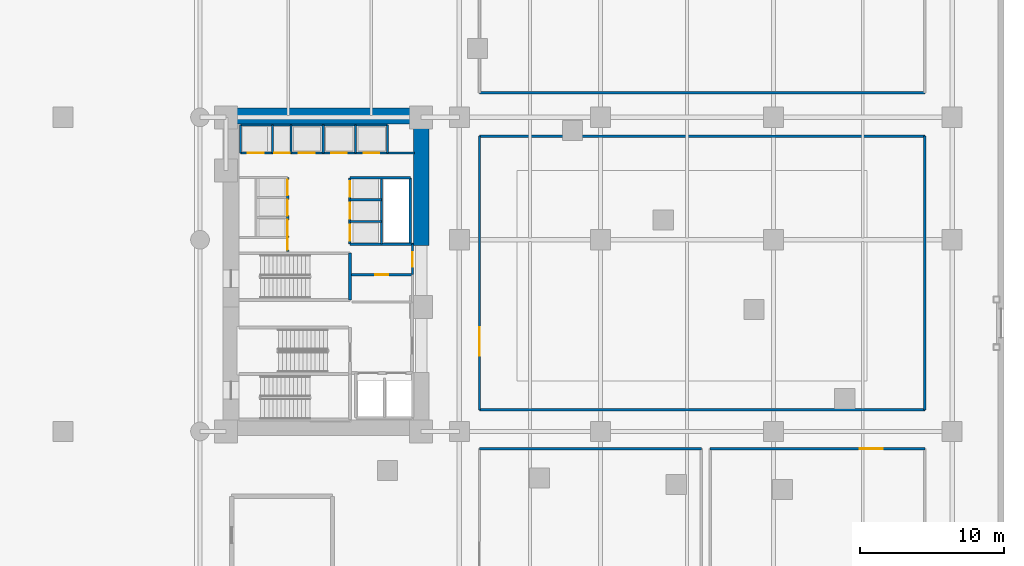
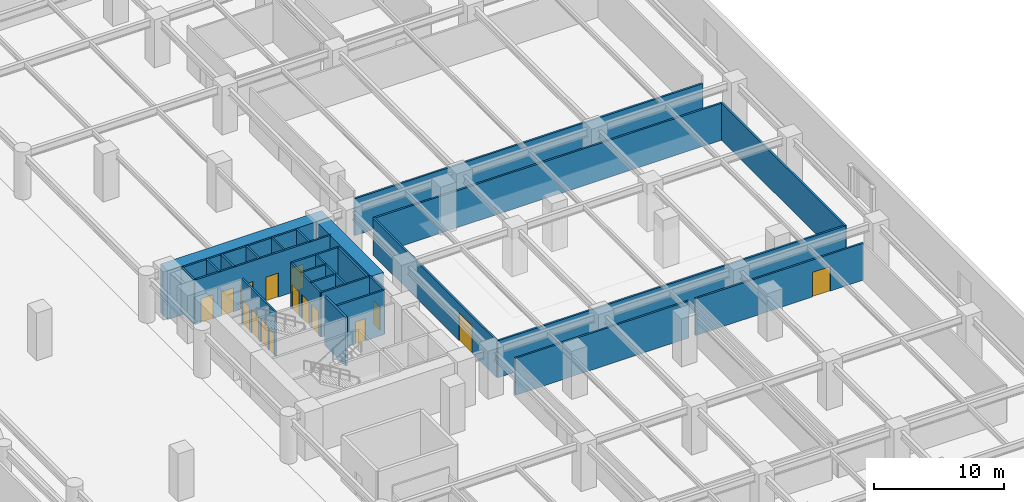
# One storey, part 23 of 42: 29 walls, 16 doors, 16 openings.
"""IFC4 building model written with IfcOpenShell, lengths in metres."""

from ifc_helpers import new_model, si_unit, direction, frame, frame_2d, origin, place, context, subcontext, project, spatial, rectangle, extrude, material, layer, layer_set, type_object, element, fill, save


model = new_model("IFC4")

# Units and contexts
model_context = context("Model", 3, precision=1e-05, world=origin(), true_north=direction((0.0, 1.0)))
body_context = subcontext(model_context, "Body", "Model", "MODEL_VIEW")
ifc_project = project(units=[si_unit("LENGTHUNIT", "METRE"), si_unit("AREAUNIT", "SQUARE_METRE"), si_unit("VOLUMEUNIT", "CUBIC_METRE"), si_unit("PLANEANGLEUNIT", "RADIAN"), si_unit("MASSUNIT", "GRAM", prefix="KILO")], contexts=[model_context])

# Site, building, storey
site_placement = place(None, origin())
site = spatial("IfcSite", under=ifc_project, at=site_placement, CompositionType="ELEMENT")
building_placement = place(site_placement, origin())
building = spatial("IfcBuilding", under=site, at=building_placement, Name="Narakoshi Arena Tower", CompositionType="ELEMENT")
storey_placement = place(building_placement, origin())
storey = spatial("IfcBuildingStorey", under=building, at=storey_placement, Name="L00", CompositionType="ELEMENT", Elevation=0.0)

# Walls
ifc_material_1 = material(Name="Concrete C60/75", Category="concrete")
ifc_layer_1 = layer(ifc_material_1, 1.10009765625)
ifc_layer_set_1 = layer_set([ifc_layer_1], Name="Concrete C60/75")
wall_type_1 = type_object("IfcWallType", Name="WL-CORE-1100", PredefinedType="SHEAR", material=ifc_layer_set_1)
wall_1_placement = place(storey_placement, frame((71.800048828125, 56.60009765625, -0.39990234375), z_axis=(0.0, 0.0, 1.0), x_axis=(1.0, 0.0, 0.0)))
element("IfcWall", 1, at=wall_1_placement, inside=storey, type_object=wall_type_1, Name="L00 Main Core Shear Wall CW-MN-N", PredefinedType="SHEAR", context=body_context, shape_type="SweptSolid", body=[
    extrude(rectangle(XDim=14.300048828125, YDim=1.10009765625, at=frame_2d((7.14990234375, 0.0))), origin(), (0.0, 0.0, 1.0), 4.579833984375),
])
wall_2_placement = place(storey_placement, frame((85.550048828125, 47.60009765625, -0.39990234375), z_axis=(0.0, 0.0, 1.0), x_axis=(0.0, 1.0, 0.0)))
element("IfcWall", 2, at=wall_2_placement, inside=storey, type_object=wall_type_1, Name="L00 Main Core Shear Wall CW-MN-E", PredefinedType="SHEAR", context=body_context, shape_type="SweptSolid", body=[
    extrude(rectangle(XDim=8.449951171875, YDim=1.10009765625, at=frame_2d((4.22509765625, 0.0))), origin(), (0.0, 0.0, 1.0), 4.579833984375),
])

# Wall, opening, door
ifc_material_2 = material(Name="Gypsum plasterboard fire-rated partition")
ifc_layer_2 = layer(ifc_material_2, 0.1650390625)
ifc_layer_set_2 = layer_set([ifc_layer_2], Name="Gypsum plasterboard fire-rated partition")
wall_type_2 = type_object("IfcWallType", Name="WL-CORR-165", PredefinedType="PARTITIONING", material=ifc_layer_set_2)
wall_3_placement = place(storey_placement, frame((84.949951171875, 45.580078125, 0.0), z_axis=(0.0, 0.0, 1.0), x_axis=(0.0, 1.0, 0.0)))
wall_3 = element("IfcWall", 3, at=wall_3_placement, inside=storey, type_object=wall_type_2, Name="L00 Core Wall CPAS-E", PredefinedType="PARTITIONING", context=body_context, shape_type="SweptSolid", body=[
    extrude(rectangle(XDim=2.119873046875, YDim=0.1650390625, at=frame_2d((1.06005859375, 0.0))), origin(), (0.0, 0.0, 1.0), 4.179931640625),
])
opening_1_placement = place(wall_3_placement, frame((0.56005859375, 0.0, 0.0)))
opening_1 = element("IfcOpeningElement", 4, at=opening_1_placement, cuts=wall_3, Name="Opening D-06", PredefinedType="OPENING", context=body_context, shape_type="SweptSolid", body=[
    extrude(rectangle(XDim=1.0, YDim=2.199951171875, at=frame_2d((0.5, 1.10009765625))), frame((0.0, 0.092529296875, 0.0), z_axis=(0.0, -1.0, 0.0), x_axis=(1.0, 0.0, 0.0)), (0.0, 0.0, 1.0), 0.18505859375),
])
ifc_material_3 = material(Name="Stained oak solid-core timber", Category="wood")
door_type_1 = type_object("IfcDoorType", Name="DR-OFF-1000", OperationType="NOTDEFINED", PredefinedType="DOOR", material=ifc_material_3)
door_1_placement = place(opening_1_placement, frame((1.0, 0.0, 0.0), z_axis=(0.0, 0.0, 1.0), x_axis=(-1.0, 0.0, 0.0)))
door_1 = element("IfcDoor", 5, at=door_1_placement, inside=storey, type_object=door_type_1, Name="DR-L00-034", OperationType="SINGLE_SWING_LEFT", OverallHeight=2.199951171875, OverallWidth=1.0, PredefinedType="DOOR", context=body_context, shape_type="SweptSolid", body=[
    extrude(rectangle(XDim=1.0, YDim=2.199951171875, at=frame_2d((0.5, 1.10009765625))), frame((0.0, 0.02490234375, 0.0), z_axis=(0.0, -1.0, 0.0), x_axis=(1.0, 0.0, 0.0)), (0.0, 0.0, 1.0), 0.050048828125),
])
fill(opening_1, door_1)

# Walls
wall_4_placement = place(storey_placement, frame((89.60009765625, 36.199951171875, 0.0), z_axis=(0.0, 0.0, 1.0), x_axis=(1.0, 0.0, 0.0)))
element("IfcWall", 6, at=wall_4_placement, inside=storey, type_object=wall_type_2, Name="L00 Office Main Entrance Lobby Wall S", PredefinedType="PARTITIONING", context=body_context, shape_type="SweptSolid", body=[
    extrude(rectangle(XDim=30.89990234375, YDim=0.1650390625, at=frame_2d((15.449951171875, 0.0))), origin(), (0.0, 0.0, 1.0), 3.465087890625),
])
wall_5_placement = place(storey_placement, frame((120.5, 36.199951171875, 0.0), z_axis=(0.0, 0.0, 1.0), x_axis=(0.0, 1.0, 0.0)))
element("IfcWall", 7, at=wall_5_placement, inside=storey, type_object=wall_type_2, Name="L00 Office Main Entrance Lobby Wall E", PredefinedType="PARTITIONING", context=body_context, shape_type="SweptSolid", body=[
    extrude(rectangle(XDim=19.0, YDim=0.1650390625, at=frame_2d((9.5, 0.0))), origin(), (0.0, 0.0, 1.0), 3.465087890625),
])
wall_6_placement = place(storey_placement, frame((120.5, 55.199951171875, 0.0), z_axis=(0.0, 0.0, 1.0), x_axis=(-1.0, 0.0, 0.0)))
element("IfcWall", 8, at=wall_6_placement, inside=storey, type_object=wall_type_2, Name="L00 Office Main Entrance Lobby Wall N", PredefinedType="PARTITIONING", context=body_context, shape_type="SweptSolid", body=[
    extrude(rectangle(XDim=30.89990234375, YDim=0.1650390625, at=frame_2d((15.449951171875, 0.0))), origin(), (0.0, 0.0, 1.0), 3.465087890625),
])

# Wall, opening, door
wall_7_placement = place(storey_placement, frame((89.60009765625, 55.199951171875, 0.0), z_axis=(0.0, 0.0, 1.0), x_axis=(0.0, -1.0, 0.0)))
wall_7 = element("IfcWall", 9, at=wall_7_placement, inside=storey, type_object=wall_type_2, Name="L00 Office Main Entrance Lobby Wall W", PredefinedType="PARTITIONING", context=body_context, shape_type="SweptSolid", body=[
    extrude(rectangle(XDim=19.0, YDim=0.1650390625, at=frame_2d((9.5, 0.0))), origin(), (0.0, 0.0, 1.0), 3.465087890625),
])
opening_2_placement = place(wall_7_placement, frame((13.260009765625, 0.0, 0.0)))
opening_2 = element("IfcOpeningElement", 10, at=opening_2_placement, cuts=wall_7, Name="Opening D-01", PredefinedType="OPENING", context=body_context, shape_type="SweptSolid", body=[
    extrude(rectangle(XDim=2.0, YDim=2.60009765625, at=frame_2d((1.0, 1.300048828125))), frame((0.0, 0.092529296875, 0.0), z_axis=(0.0, -1.0, 0.0), x_axis=(1.0, 0.0, 0.0)), (0.0, 0.0, 1.0), 0.18505859375),
])
ifc_material_4 = material(Name="Anodised bronze aluminium 6063-T6", Category="aluminium")
door_type_2 = type_object("IfcDoorType", Name="DR-ENT-2000", OperationType="DOUBLE_DOOR_SINGLE_SWING", PredefinedType="DOOR", material=ifc_material_4)
door_2_placement = place(opening_2_placement, frame((2.0, 0.0, 0.0), z_axis=(0.0, 0.0, 1.0), x_axis=(-1.0, 0.0, 0.0)))
door_2 = element("IfcDoor", 11, at=door_2_placement, inside=storey, type_object=door_type_2, Name="DR-L00-057", OperationType="DOUBLE_DOOR_SINGLE_SWING", OverallHeight=2.60009765625, OverallWidth=2.0, PredefinedType="DOOR", context=body_context, shape_type="SweptSolid", body=[
    extrude(rectangle(XDim=2.0, YDim=2.60009765625, at=frame_2d((1.0, 1.300048828125))), frame((0.0, 0.02490234375, 0.0), z_axis=(0.0, -1.0, 0.0), x_axis=(1.0, 0.0, 0.0)), (0.0, 0.0, 1.0), 0.050048828125),
])
fill(opening_2, door_2)

# Walls
wall_8_placement = place(storey_placement, frame((89.60009765625, 58.199951171875, 0.0), z_axis=(0.0, 0.0, 1.0), x_axis=(1.0, 0.0, 0.0)))
element("IfcWall", 12, at=wall_8_placement, inside=storey, type_object=wall_type_2, Name="L00 Observation Express Foyer Wall S", PredefinedType="PARTITIONING", context=body_context, shape_type="SweptSolid", body=[
    extrude(rectangle(XDim=30.89990234375, YDim=0.1650390625, at=frame_2d((15.449951171875, 0.0))), origin(), (0.0, 0.0, 1.0), 3.465087890625),
])
wall_9_placement = place(storey_placement, frame((105.0, 33.5, 0.0), z_axis=(0.0, 0.0, 1.0), x_axis=(-1.0, 0.0, 0.0)))
element("IfcWall", 13, at=wall_9_placement, inside=storey, type_object=wall_type_2, Name="L00 Concourse Cafe and Bakery Wall N", PredefinedType="PARTITIONING", context=body_context, shape_type="SweptSolid", body=[
    extrude(rectangle(XDim=15.39990234375, YDim=0.1650390625, at=frame_2d((7.699951171875, 0.0))), origin(), (0.0, 0.0, 1.0), 3.465087890625),
])

# Wall, opening, door
wall_10_placement = place(storey_placement, frame((120.5, 33.5, 0.0), z_axis=(0.0, 0.0, 1.0), x_axis=(-1.0, 0.0, 0.0)))
wall_10 = element("IfcWall", 14, at=wall_10_placement, inside=storey, type_object=wall_type_2, Name="L00 Podium Merchandise Retail Shop Wall N", PredefinedType="PARTITIONING", context=body_context, shape_type="SweptSolid", body=[
    extrude(rectangle(XDim=14.89990234375, YDim=0.1650390625, at=frame_2d((7.449951171875, 0.0))), origin(), (0.0, 0.0, 1.0), 3.465087890625),
])
opening_3_placement = place(wall_10_placement, frame((2.926025390625, 0.0, 0.0)))
opening_3 = element("IfcOpeningElement", 15, at=opening_3_placement, cuts=wall_10, Name="Opening D-05", PredefinedType="OPENING", context=body_context, shape_type="SweptSolid", body=[
    extrude(rectangle(XDim=1.60009765625, YDim=2.300048828125, at=frame_2d((0.800048828125, 1.14990234375))), frame((0.0, 0.092529296875, 0.0), z_axis=(0.0, -1.0, 0.0), x_axis=(1.0, 0.0, 0.0)), (0.0, 0.0, 1.0), 0.18505859375),
])
door_type_3 = type_object("IfcDoorType", Name="DR-STE-1600", OperationType="DOUBLE_DOOR_SINGLE_SWING", PredefinedType="DOOR", material=ifc_material_3)
door_3_placement = place(opening_3_placement, frame((1.60009765625, 0.0, 0.0), z_axis=(0.0, 0.0, 1.0), x_axis=(-1.0, 0.0, 0.0)))
door_3 = element("IfcDoor", 16, at=door_3_placement, inside=storey, type_object=door_type_3, Name="DR-L00-061", OperationType="DOUBLE_DOOR_SINGLE_SWING", OverallHeight=2.300048828125, OverallWidth=1.60009765625, PredefinedType="DOOR", context=body_context, shape_type="SweptSolid", body=[
    extrude(rectangle(XDim=1.60009765625, YDim=2.300048828125, at=frame_2d((0.800048828125, 1.14990234375))), frame((0.0, 0.02490234375, 0.0), z_axis=(0.0, -1.0, 0.0), x_axis=(1.0, 0.0, 0.0)), (0.0, 0.0, 1.0), 0.050048828125),
])
fill(opening_3, door_3)

ifc_material_5 = material(Name="Concrete C40/50", Category="concrete")
ifc_layer_3 = layer(ifc_material_5, 0.280029296875)
ifc_layer_set_3 = layer_set([ifc_layer_3], Name="Concrete C40/50")
wall_type_3 = type_object("IfcWallType", Name="WL-RISER-280", PredefinedType="PLUMBINGWALL", material=ifc_layer_set_3)
wall_11_placement = place(storey_placement, frame((80.719970703125, 45.580078125, 0.0), z_axis=(0.0, 0.0, 1.0), x_axis=(1.0, 0.0, 0.0)))
wall_11 = element("IfcWall", 17, at=wall_11_placement, inside=storey, type_object=wall_type_3, Name="L00 Core Wall RSR-N", PredefinedType="PLUMBINGWALL", context=body_context, shape_type="SweptSolid", body=[
    extrude(rectangle(XDim=4.22998046875, YDim=0.159912109375, at=frame_2d((2.114990234375, 0.0))), origin(), (0.0, 0.0, 1.0), 4.179931640625),
])
opening_4_placement = place(wall_11_placement, frame((1.64990234375, 0.0, 0.0)))
opening_4 = element("IfcOpeningElement", 18, at=opening_4_placement, cuts=wall_11, Name="Opening D-08", PredefinedType="OPENING", context=body_context, shape_type="SweptSolid", body=[
    extrude(rectangle(XDim=0.89990234375, YDim=2.10009765625, at=frame_2d((0.449951171875, 1.050048828125))), frame((0.0, 0.08984375, 0.0), z_axis=(0.0, -1.0, 0.0), x_axis=(1.0, 0.0, 0.0)), (0.0, 0.0, 1.0), 0.179931640625),
])
ifc_material_6 = material(Name="Moisture-resistant laminate timber", Category="wood")
door_type_4 = type_object("IfcDoorType", Name="DR-WC-900", OperationType="NOTDEFINED", PredefinedType="DOOR", material=ifc_material_6)
door_4_placement = place(opening_4_placement, frame((0.89990234375, 0.0, 0.0), z_axis=(0.0, 0.0, 1.0), x_axis=(-1.0, 0.0, 0.0)))
door_4 = element("IfcDoor", 19, at=door_4_placement, inside=storey, type_object=door_type_4, Name="DR-L00-035", OperationType="SINGLE_SWING_LEFT", OverallHeight=2.10009765625, OverallWidth=0.89990234375, PredefinedType="DOOR", context=body_context, shape_type="SweptSolid", body=[
    extrude(rectangle(XDim=0.89990234375, YDim=2.10009765625, at=frame_2d((0.449951171875, 1.050048828125))), frame((0.0, 0.02490234375, 0.0), z_axis=(0.0, -1.0, 0.0), x_axis=(1.0, 0.0, 0.0)), (0.0, 0.0, 1.0), 0.050048828125),
])
fill(opening_4, door_4)

# Walls
for number, where, z_axis, x_axis, name in (
    (20, (80.60009765625, 49.260009765625, 0.0), (0.0, 0.0, 1.0), (1.0, 0.0, 0.0), "L00 Core Wall MR-D1"),
    (21, (80.60009765625, 50.780029296875, 0.0), (0.0, 0.0, 1.0), (1.0, 0.0, 0.0), "L00 Core Wall MR-D2"),
):
    element("IfcWall", number, at=place(storey_placement, frame(where, z_axis=z_axis, x_axis=x_axis)), inside=storey, type_object=wall_type_3, Name=name, PredefinedType="PLUMBINGWALL", context=body_context, shape_type="SweptSolid", body=[
        extrude(rectangle(XDim=2.199951171875, YDim=0.14990234375, at=frame_2d((1.10009765625, 0.0))), origin(), (0.0, 0.0, 1.0), 4.179931640625),
    ])
wall_12_placement = place(storey_placement, frame((82.800048828125, 47.699951171875, 0.0), z_axis=(0.0, 0.0, 1.0), x_axis=(0.0, 1.0, 0.0)))
element("IfcWall", 22, at=wall_12_placement, inside=storey, type_object=wall_type_3, Name="L00 Core Wall MR-E", PredefinedType="PLUMBINGWALL", context=body_context, shape_type="SweptSolid", body=[
    extrude(rectangle(XDim=4.60009765625, YDim=0.14990234375, at=frame_2d((2.300048828125, 0.0))), origin(), (0.0, 0.0, 1.0), 4.179931640625),
])
for number, where, z_axis, x_axis, name in (
    (23, (73.02001953125, 54.02001953125, 0.0), (0.0, 0.0, 1.0), (0.0, 1.0, 0.0), "L00 Core Wall OBS-W"),
    (24, (75.219970703125, 54.02001953125, 0.0), (0.0, 0.0, 1.0), (0.0, 1.0, 0.0), "L00 Core Wall OBS-M"),
):
    element("IfcWall", number, at=place(storey_placement, frame(where, z_axis=z_axis, x_axis=x_axis)), inside=storey, type_object=wall_type_3, Name=name, PredefinedType="PLUMBINGWALL", context=body_context, shape_type="SweptSolid", body=[
        extrude(rectangle(XDim=1.93994140625, YDim=0.14990234375, at=frame_2d((0.969970703125, 0.0))), origin(), (0.0, 0.0, 1.0), 4.179931640625),
    ])
for number, where, z_axis, x_axis, name in (
    (25, (78.75, 54.02001953125, 0.0), (0.0, 0.0, 1.0), (0.0, 1.0, 0.0), "L00 Core Wall HR-D1"),
    (26, (81.0, 54.02001953125, 0.0), (0.0, 0.0, 1.0), (0.0, 1.0, 0.0), "L00 Core Wall HR-D2"),
):
    element("IfcWall", number, at=place(storey_placement, frame(where, z_axis=z_axis, x_axis=x_axis)), inside=storey, type_object=wall_type_3, Name=name, PredefinedType="PLUMBINGWALL", context=body_context, shape_type="SweptSolid", body=[
        extrude(rectangle(XDim=1.9599609375, YDim=0.14990234375, at=frame_2d((0.97998046875, 0.0))), origin(), (0.0, 0.0, 1.0), 4.179931640625),
    ])
ifc_material_7 = material(Name="Concrete C50/60", Category="concrete")
ifc_layer_4 = layer(ifc_material_7, 0.35009765625)
ifc_layer_set_4 = layer_set([ifc_layer_4], Name="Concrete C50/60")
wall_type_4 = type_object("IfcWallType", Name="WL-SHAFT-350", PredefinedType="SOLIDWALL", material=ifc_layer_set_4)
wall_13_placement = place(storey_placement, frame((80.6201171875, 43.830078125, -0.39990234375), z_axis=(0.0, 0.0, 1.0), x_axis=(0.0, 1.0, 0.0)))
element("IfcWall", 27, at=wall_13_placement, inside=storey, type_object=wall_type_4, Name="L00 Core Wall ST3-E", PredefinedType="SOLIDWALL", context=body_context, shape_type="SweptSolid", body=[
    extrude(rectangle(XDim=3.239990234375, YDim=0.199951171875, at=frame_2d((1.6201171875, 0.0))), origin(), (0.0, 0.0, 1.0), 4.579833984375),
])

# Wall, openings, doors
wall_14_placement = place(storey_placement, frame((76.280029296875, 47.179931640625, 0.0), z_axis=(0.0, 0.0, 1.0), x_axis=(0.0, 1.0, 0.0)))
wall_14 = element("IfcWall", 28, at=wall_14_placement, inside=storey, type_object=wall_type_4, Name="L00 Core Wall LR-E", PredefinedType="SOLIDWALL", context=body_context, shape_type="SweptSolid", body=[
    extrude(rectangle(XDim=5.14013671875, YDim=0.159912109375, at=frame_2d((2.570068359375, 0.0))), origin(), (0.0, 0.0, 1.0), 4.179931640625),
])
opening_5_placement = place(wall_14_placement, frame((1.10009765625, 0.0, 0.0)))
opening_5 = element("IfcOpeningElement", 29, at=opening_5_placement, cuts=wall_14, Name="Opening LD-01", PredefinedType="OPENING", context=body_context, shape_type="SweptSolid", body=[
    extrude(rectangle(XDim=1.10009765625, YDim=2.25, at=frame_2d((0.550048828125, 1.125))), frame((0.0, 0.08984375, 0.0), z_axis=(0.0, -1.0, 0.0), x_axis=(1.0, 0.0, 0.0)), (0.0, 0.0, 1.0), 0.179931640625),
])
opening_6_placement = place(wall_14_placement, frame((2.5, 0.0, 0.0)))
opening_6 = element("IfcOpeningElement", 30, at=opening_6_placement, cuts=wall_14, Name="Opening LD-01", PredefinedType="OPENING", context=body_context, shape_type="SweptSolid", body=[
    extrude(rectangle(XDim=1.10009765625, YDim=2.25, at=frame_2d((0.550048828125, 1.125))), frame((0.0, 0.08984375, 0.0), z_axis=(0.0, -1.0, 0.0), x_axis=(1.0, 0.0, 0.0)), (0.0, 0.0, 1.0), 0.179931640625),
])
opening_7_placement = place(wall_14_placement, frame((3.89990234375, 0.0, 0.0)))
opening_7 = element("IfcOpeningElement", 31, at=opening_7_placement, cuts=wall_14, Name="Opening LD-01", PredefinedType="OPENING", context=body_context, shape_type="SweptSolid", body=[
    extrude(rectangle(XDim=1.10009765625, YDim=2.25, at=frame_2d((0.550048828125, 1.125))), frame((0.0, 0.08984375, 0.0), z_axis=(0.0, -1.0, 0.0), x_axis=(1.0, 0.0, 0.0)), (0.0, 0.0, 1.0), 0.179931640625),
])
opening_8_placement = place(wall_14_placement, frame((0.1201171875, 0.0, 0.0)))
opening_8 = element("IfcOpeningElement", 32, at=opening_8_placement, cuts=wall_14, Name="Opening D-10", PredefinedType="OPENING", context=body_context, shape_type="SweptSolid", body=[
    extrude(rectangle(XDim=0.85009765625, YDim=2.050048828125, at=frame_2d((0.425048828125, 1.02490234375))), frame((0.0, 0.08984375, 0.0), z_axis=(0.0, -1.0, 0.0), x_axis=(1.0, 0.0, 0.0)), (0.0, 0.0, 1.0), 0.179931640625),
])
ifc_material_8 = material(Name="Brushed bronze stainless steel", Category="steel")
door_type_5 = type_object("IfcDoorType", Name="DR-LFT-1100", OperationType="DOUBLE_DOOR_SLIDING", PredefinedType="DOOR", material=ifc_material_8)
door_5_placement = place(opening_5_placement, origin())
door_5 = element("IfcDoor", 33, at=door_5_placement, inside=storey, type_object=door_type_5, Name="DR-L00-036", OperationType="DOUBLE_DOOR_SLIDING", OverallHeight=2.25, OverallWidth=1.10009765625, PredefinedType="DOOR", context=body_context, shape_type="SweptSolid", body=[
    extrude(rectangle(XDim=1.10009765625, YDim=2.25, at=frame_2d((0.550048828125, 1.125))), frame((0.0, 0.02490234375, 0.0), z_axis=(0.0, -1.0, 0.0), x_axis=(1.0, 0.0, 0.0)), (0.0, 0.0, 1.0), 0.050048828125),
])
fill(opening_5, door_5)
door_6_placement = place(opening_6_placement, origin())
door_6 = element("IfcDoor", 34, at=door_6_placement, inside=storey, type_object=door_type_5, Name="DR-L00-037", OperationType="DOUBLE_DOOR_SLIDING", OverallHeight=2.25, OverallWidth=1.10009765625, PredefinedType="DOOR", context=body_context, shape_type="SweptSolid", body=[
    extrude(rectangle(XDim=1.10009765625, YDim=2.25, at=frame_2d((0.550048828125, 1.125))), frame((0.0, 0.02490234375, 0.0), z_axis=(0.0, -1.0, 0.0), x_axis=(1.0, 0.0, 0.0)), (0.0, 0.0, 1.0), 0.050048828125),
])
fill(opening_6, door_6)
door_7_placement = place(opening_7_placement, origin())
door_7 = element("IfcDoor", 35, at=door_7_placement, inside=storey, type_object=door_type_5, Name="DR-L00-038", OperationType="DOUBLE_DOOR_SLIDING", OverallHeight=2.25, OverallWidth=1.10009765625, PredefinedType="DOOR", context=body_context, shape_type="SweptSolid", body=[
    extrude(rectangle(XDim=1.10009765625, YDim=2.25, at=frame_2d((0.550048828125, 1.125))), frame((0.0, 0.02490234375, 0.0), z_axis=(0.0, -1.0, 0.0), x_axis=(1.0, 0.0, 0.0)), (0.0, 0.0, 1.0), 0.050048828125),
])
fill(opening_7, door_7)
ifc_material_9 = material(Name="Painted galvanized steel", Category="steel")
door_type_6 = type_object("IfcDoorType", Name="DR-RSR-850", OperationType="NOTDEFINED", PredefinedType="DOOR", material=ifc_material_9)
door_8_placement = place(opening_8_placement, frame((0.85009765625, 0.0, 0.0), z_axis=(0.0, 0.0, 1.0), x_axis=(-1.0, 0.0, 0.0)))
door_8 = element("IfcDoor", 36, at=door_8_placement, inside=storey, type_object=door_type_6, Name="DR-L00-039", OperationType="SINGLE_SWING_LEFT", OverallHeight=2.050048828125, OverallWidth=0.85009765625, PredefinedType="DOOR", context=body_context, shape_type="SweptSolid", body=[
    extrude(rectangle(XDim=0.85009765625, YDim=2.050048828125, at=frame_2d((0.425048828125, 1.02490234375))), frame((0.0, 0.02490234375, 0.0), z_axis=(0.0, -1.0, 0.0), x_axis=(1.0, 0.0, 0.0)), (0.0, 0.0, 1.0), 0.050048828125),
])
fill(opening_8, door_8)

wall_15_placement = place(storey_placement, frame((80.60009765625, 47.699951171875, 0.0), z_axis=(0.0, 0.0, 1.0), x_axis=(0.0, 1.0, 0.0)))
wall_15 = element("IfcWall", 37, at=wall_15_placement, inside=storey, type_object=wall_type_4, Name="L00 Core Wall MR-W", PredefinedType="SOLIDWALL", context=body_context, shape_type="SweptSolid", body=[
    extrude(rectangle(XDim=4.60009765625, YDim=0.159912109375, at=frame_2d((2.300048828125, 0.0))), origin(), (0.0, 0.0, 1.0), 4.179931640625),
])
opening_9_placement = place(wall_15_placement, frame((0.239990234375, 0.0, 0.0)))
opening_9 = element("IfcOpeningElement", 38, at=opening_9_placement, cuts=wall_15, Name="Opening LD-01", PredefinedType="OPENING", context=body_context, shape_type="SweptSolid", body=[
    extrude(rectangle(XDim=1.10009765625, YDim=2.25, at=frame_2d((0.550048828125, 1.125))), frame((0.0, 0.08984375, 0.0), z_axis=(0.0, -1.0, 0.0), x_axis=(1.0, 0.0, 0.0)), (0.0, 0.0, 1.0), 0.179931640625),
])
opening_10_placement = place(wall_15_placement, frame((1.760009765625, 0.0, 0.0)))
opening_10 = element("IfcOpeningElement", 39, at=opening_10_placement, cuts=wall_15, Name="Opening LD-01", PredefinedType="OPENING", context=body_context, shape_type="SweptSolid", body=[
    extrude(rectangle(XDim=1.10009765625, YDim=2.25, at=frame_2d((0.550048828125, 1.125))), frame((0.0, 0.08984375, 0.0), z_axis=(0.0, -1.0, 0.0), x_axis=(1.0, 0.0, 0.0)), (0.0, 0.0, 1.0), 0.179931640625),
])
opening_11_placement = place(wall_15_placement, frame((3.280029296875, 0.0, 0.0)))
opening_11 = element("IfcOpeningElement", 40, at=opening_11_placement, cuts=wall_15, Name="Opening LD-01", PredefinedType="OPENING", context=body_context, shape_type="SweptSolid", body=[
    extrude(rectangle(XDim=1.10009765625, YDim=2.25, at=frame_2d((0.550048828125, 1.125))), frame((0.0, 0.08984375, 0.0), z_axis=(0.0, -1.0, 0.0), x_axis=(1.0, 0.0, 0.0)), (0.0, 0.0, 1.0), 0.179931640625),
])
door_9_placement = place(opening_9_placement, frame((1.10009765625, 0.0, 0.0), z_axis=(0.0, 0.0, 1.0), x_axis=(-1.0, 0.0, 0.0)))
door_9 = element("IfcDoor", 41, at=door_9_placement, inside=storey, type_object=door_type_5, Name="DR-L00-040", OperationType="DOUBLE_DOOR_SLIDING", OverallHeight=2.25, OverallWidth=1.10009765625, PredefinedType="DOOR", context=body_context, shape_type="SweptSolid", body=[
    extrude(rectangle(XDim=1.10009765625, YDim=2.25, at=frame_2d((0.550048828125, 1.125))), frame((0.0, 0.02490234375, 0.0), z_axis=(0.0, -1.0, 0.0), x_axis=(1.0, 0.0, 0.0)), (0.0, 0.0, 1.0), 0.050048828125),
])
fill(opening_9, door_9)
door_10_placement = place(opening_10_placement, frame((1.10009765625, 0.0, 0.0), z_axis=(0.0, 0.0, 1.0), x_axis=(-1.0, 0.0, 0.0)))
door_10 = element("IfcDoor", 42, at=door_10_placement, inside=storey, type_object=door_type_5, Name="DR-L00-041", OperationType="DOUBLE_DOOR_SLIDING", OverallHeight=2.25, OverallWidth=1.10009765625, PredefinedType="DOOR", context=body_context, shape_type="SweptSolid", body=[
    extrude(rectangle(XDim=1.10009765625, YDim=2.25, at=frame_2d((0.550048828125, 1.125))), frame((0.0, 0.02490234375, 0.0), z_axis=(0.0, -1.0, 0.0), x_axis=(1.0, 0.0, 0.0)), (0.0, 0.0, 1.0), 0.050048828125),
])
fill(opening_10, door_10)
door_11_placement = place(opening_11_placement, frame((1.10009765625, 0.0, 0.0), z_axis=(0.0, 0.0, 1.0), x_axis=(-1.0, 0.0, 0.0)))
door_11 = element("IfcDoor", 43, at=door_11_placement, inside=storey, type_object=door_type_5, Name="DR-L00-042", OperationType="DOUBLE_DOOR_SLIDING", OverallHeight=2.25, OverallWidth=1.10009765625, PredefinedType="DOOR", context=body_context, shape_type="SweptSolid", body=[
    extrude(rectangle(XDim=1.10009765625, YDim=2.25, at=frame_2d((0.550048828125, 1.125))), frame((0.0, 0.02490234375, 0.0), z_axis=(0.0, -1.0, 0.0), x_axis=(1.0, 0.0, 0.0)), (0.0, 0.0, 1.0), 0.050048828125),
])
fill(opening_11, door_11)

# Walls
wall_16_placement = place(storey_placement, frame((80.60009765625, 47.699951171875, 0.0), z_axis=(0.0, 0.0, 1.0), x_axis=(1.0, 0.0, 0.0)))
element("IfcWall", 44, at=wall_16_placement, inside=storey, type_object=wall_type_4, Name="L00 Core Wall MR-S", PredefinedType="SOLIDWALL", context=body_context, shape_type="SweptSolid", body=[
    extrude(rectangle(XDim=4.39990234375, YDim=0.159912109375, at=frame_2d((2.199951171875, 0.0))), origin(), (0.0, 0.0, 1.0), 4.179931640625),
])
wall_17_placement = place(storey_placement, frame((80.60009765625, 52.300048828125, 0.0), z_axis=(0.0, 0.0, 1.0), x_axis=(1.0, 0.0, 0.0)))
element("IfcWall", 45, at=wall_17_placement, inside=storey, type_object=wall_type_4, Name="L00 Core Wall MR-N", PredefinedType="SOLIDWALL", context=body_context, shape_type="SweptSolid", body=[
    extrude(rectangle(XDim=4.219970703125, YDim=0.159912109375, at=frame_2d((2.10986328125, 0.0))), origin(), (0.0, 0.0, 1.0), 4.179931640625),
])
wall_18_placement = place(storey_placement, frame((84.780029296875, 47.699951171875, 0.0), z_axis=(0.0, 0.0, 1.0), x_axis=(0.0, 1.0, 0.0)))
element("IfcWall", 46, at=wall_18_placement, inside=storey, type_object=wall_type_4, Name="L00 Core Wall MR-E2", PredefinedType="SOLIDWALL", context=body_context, shape_type="SweptSolid", body=[
    extrude(rectangle(XDim=4.60009765625, YDim=0.159912109375, at=frame_2d((2.300048828125, 0.0))), origin(), (0.0, 0.0, 1.0), 4.179931640625),
])

# Wall, openings, doors
wall_19_placement = place(storey_placement, frame((73.02001953125, 54.02001953125, 0.0), z_axis=(0.0, 0.0, 1.0), x_axis=(1.0, 0.0, 0.0)))
wall_19 = element("IfcWall", 47, at=wall_19_placement, inside=storey, type_object=wall_type_4, Name="L00 Core Wall NSHF-S", PredefinedType="SOLIDWALL", context=body_context, shape_type="SweptSolid", body=[
    extrude(rectangle(XDim=12.080078125, YDim=0.159912109375, at=frame_2d((6.0400390625, 0.0))), origin(), (0.0, 0.0, 1.0), 4.179931640625),
])
opening_12_placement = place(wall_19_placement, frame((0.5, 0.0, 0.0)))
opening_12 = element("IfcOpeningElement", 48, at=opening_12_placement, cuts=wall_19, Name="Opening LD-01", PredefinedType="OPENING", context=body_context, shape_type="SweptSolid", body=[
    extrude(rectangle(XDim=1.10009765625, YDim=2.25, at=frame_2d((0.550048828125, 1.125))), frame((0.0, 0.08984375, 0.0), z_axis=(0.0, -1.0, 0.0), x_axis=(1.0, 0.0, 0.0)), (0.0, 0.0, 1.0), 0.179931640625),
])
opening_13_placement = place(wall_19_placement, frame((2.320068359375, 0.0, 0.0)))
opening_13 = element("IfcOpeningElement", 49, at=opening_13_placement, cuts=wall_19, Name="Opening LD-01", PredefinedType="OPENING", context=body_context, shape_type="SweptSolid", body=[
    extrude(rectangle(XDim=1.10009765625, YDim=2.25, at=frame_2d((0.550048828125, 1.125))), frame((0.0, 0.08984375, 0.0), z_axis=(0.0, -1.0, 0.0), x_axis=(1.0, 0.0, 0.0)), (0.0, 0.0, 1.0), 0.179931640625),
])
opening_14_placement = place(wall_19_placement, frame((4.030029296875, 0.0, 0.0)))
opening_14 = element("IfcOpeningElement", 50, at=opening_14_placement, cuts=wall_19, Name="Opening LD-01", PredefinedType="OPENING", context=body_context, shape_type="SweptSolid", body=[
    extrude(rectangle(XDim=1.10009765625, YDim=2.25, at=frame_2d((0.550048828125, 1.125))), frame((0.0, 0.08984375, 0.0), z_axis=(0.0, -1.0, 0.0), x_axis=(1.0, 0.0, 0.0)), (0.0, 0.0, 1.0), 0.179931640625),
])
opening_15_placement = place(wall_19_placement, frame((6.280029296875, 0.0, 0.0)))
opening_15 = element("IfcOpeningElement", 51, at=opening_15_placement, cuts=wall_19, Name="Opening LD-01", PredefinedType="OPENING", context=body_context, shape_type="SweptSolid", body=[
    extrude(rectangle(XDim=1.10009765625, YDim=2.25, at=frame_2d((0.550048828125, 1.125))), frame((0.0, 0.08984375, 0.0), z_axis=(0.0, -1.0, 0.0), x_axis=(1.0, 0.0, 0.0)), (0.0, 0.0, 1.0), 0.179931640625),
])
opening_16_placement = place(wall_19_placement, frame((8.530029296875, 0.0, 0.0)))
opening_16 = element("IfcOpeningElement", 52, at=opening_16_placement, cuts=wall_19, Name="Opening LD-01", PredefinedType="OPENING", context=body_context, shape_type="SweptSolid", body=[
    extrude(rectangle(XDim=1.10009765625, YDim=2.25, at=frame_2d((0.550048828125, 1.125))), frame((0.0, 0.08984375, 0.0), z_axis=(0.0, -1.0, 0.0), x_axis=(1.0, 0.0, 0.0)), (0.0, 0.0, 1.0), 0.179931640625),
])
door_12_placement = place(opening_12_placement, origin())
door_12 = element("IfcDoor", 53, at=door_12_placement, inside=storey, type_object=door_type_5, Name="DR-L00-043", OperationType="DOUBLE_DOOR_SLIDING", OverallHeight=2.25, OverallWidth=1.10009765625, PredefinedType="DOOR", context=body_context, shape_type="SweptSolid", body=[
    extrude(rectangle(XDim=1.10009765625, YDim=2.25, at=frame_2d((0.550048828125, 1.125))), frame((0.0, 0.02490234375, 0.0), z_axis=(0.0, -1.0, 0.0), x_axis=(1.0, 0.0, 0.0)), (0.0, 0.0, 1.0), 0.050048828125),
])
fill(opening_12, door_12)
door_13_placement = place(opening_13_placement, origin())
door_13 = element("IfcDoor", 54, at=door_13_placement, inside=storey, type_object=door_type_5, Name="DR-L00-044", OperationType="DOUBLE_DOOR_SLIDING", OverallHeight=2.25, OverallWidth=1.10009765625, PredefinedType="DOOR", context=body_context, shape_type="SweptSolid", body=[
    extrude(rectangle(XDim=1.10009765625, YDim=2.25, at=frame_2d((0.550048828125, 1.125))), frame((0.0, 0.02490234375, 0.0), z_axis=(0.0, -1.0, 0.0), x_axis=(1.0, 0.0, 0.0)), (0.0, 0.0, 1.0), 0.050048828125),
])
fill(opening_13, door_13)
door_14_placement = place(opening_14_placement, origin())
door_14 = element("IfcDoor", 55, at=door_14_placement, inside=storey, type_object=door_type_5, Name="DR-L00-045", OperationType="DOUBLE_DOOR_SLIDING", OverallHeight=2.25, OverallWidth=1.10009765625, PredefinedType="DOOR", context=body_context, shape_type="SweptSolid", body=[
    extrude(rectangle(XDim=1.10009765625, YDim=2.25, at=frame_2d((0.550048828125, 1.125))), frame((0.0, 0.02490234375, 0.0), z_axis=(0.0, -1.0, 0.0), x_axis=(1.0, 0.0, 0.0)), (0.0, 0.0, 1.0), 0.050048828125),
])
fill(opening_14, door_14)
door_15_placement = place(opening_15_placement, origin())
door_15 = element("IfcDoor", 56, at=door_15_placement, inside=storey, type_object=door_type_5, Name="DR-L00-046", OperationType="DOUBLE_DOOR_SLIDING", OverallHeight=2.25, OverallWidth=1.10009765625, PredefinedType="DOOR", context=body_context, shape_type="SweptSolid", body=[
    extrude(rectangle(XDim=1.10009765625, YDim=2.25, at=frame_2d((0.550048828125, 1.125))), frame((0.0, 0.02490234375, 0.0), z_axis=(0.0, -1.0, 0.0), x_axis=(1.0, 0.0, 0.0)), (0.0, 0.0, 1.0), 0.050048828125),
])
fill(opening_15, door_15)
door_16_placement = place(opening_16_placement, origin())
door_16 = element("IfcDoor", 57, at=door_16_placement, inside=storey, type_object=door_type_5, Name="DR-L00-047", OperationType="DOUBLE_DOOR_SLIDING", OverallHeight=2.25, OverallWidth=1.10009765625, PredefinedType="DOOR", context=body_context, shape_type="SweptSolid", body=[
    extrude(rectangle(XDim=1.10009765625, YDim=2.25, at=frame_2d((0.550048828125, 1.125))), frame((0.0, 0.02490234375, 0.0), z_axis=(0.0, -1.0, 0.0), x_axis=(1.0, 0.0, 0.0)), (0.0, 0.0, 1.0), 0.050048828125),
])
fill(opening_16, door_16)

# Walls
wall_20_placement = place(storey_placement, frame((73.02001953125, 55.9599609375, 0.0), z_axis=(0.0, 0.0, 1.0), x_axis=(1.0, 0.0, 0.0)))
element("IfcWall", 58, at=wall_20_placement, inside=storey, type_object=wall_type_4, Name="L00 Core Wall OBS-N", PredefinedType="SOLIDWALL", context=body_context, shape_type="SweptSolid", body=[
    extrude(rectangle(XDim=3.5, YDim=0.14990234375, at=frame_2d((1.75, 0.0))), origin(), (0.0, 0.0, 1.0), 4.179931640625),
])
wall_21_placement = place(storey_placement, frame((76.52001953125, 54.02001953125, 0.0), z_axis=(0.0, 0.0, 1.0), x_axis=(0.0, 1.0, 0.0)))
element("IfcWall", 59, at=wall_21_placement, inside=storey, type_object=wall_type_4, Name="L00 Core Wall OBS-E", PredefinedType="SOLIDWALL", context=body_context, shape_type="SweptSolid", body=[
    extrude(rectangle(XDim=1.93994140625, YDim=0.14990234375, at=frame_2d((0.969970703125, 0.0))), origin(), (0.0, 0.0, 1.0), 4.179931640625),
])
wall_22_placement = place(storey_placement, frame((83.219970703125, 54.02001953125, 0.0), z_axis=(0.0, 0.0, 1.0), x_axis=(0.0, 1.0, 0.0)))
element("IfcWall", 60, at=wall_22_placement, inside=storey, type_object=wall_type_4, Name="L00 Core Wall HR-E", PredefinedType="SOLIDWALL", context=body_context, shape_type="SweptSolid", body=[
    extrude(rectangle(XDim=1.9599609375, YDim=0.14990234375, at=frame_2d((0.97998046875, 0.0))), origin(), (0.0, 0.0, 1.0), 4.179931640625),
])
wall_23_placement = place(storey_placement, frame((76.52001953125, 55.9599609375, 0.0), z_axis=(0.0, 0.0, 1.0), x_axis=(1.0, 0.0, 0.0)))
element("IfcWall", 61, at=wall_23_placement, inside=storey, type_object=wall_type_4, Name="L00 Core Wall HR-N", PredefinedType="SOLIDWALL", context=body_context, shape_type="SweptSolid", body=[
    extrude(rectangle(XDim=6.699951171875, YDim=0.14990234375, at=frame_2d((3.35009765625, 0.0))), origin(), (0.0, 0.0, 1.0), 4.179931640625),
])

save(model, "model.ifc")
